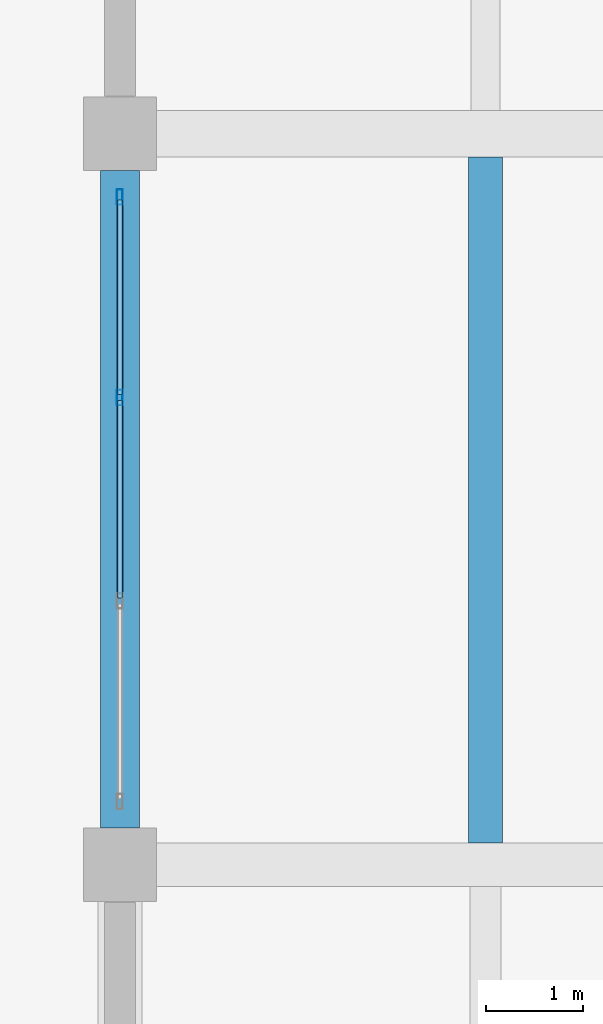
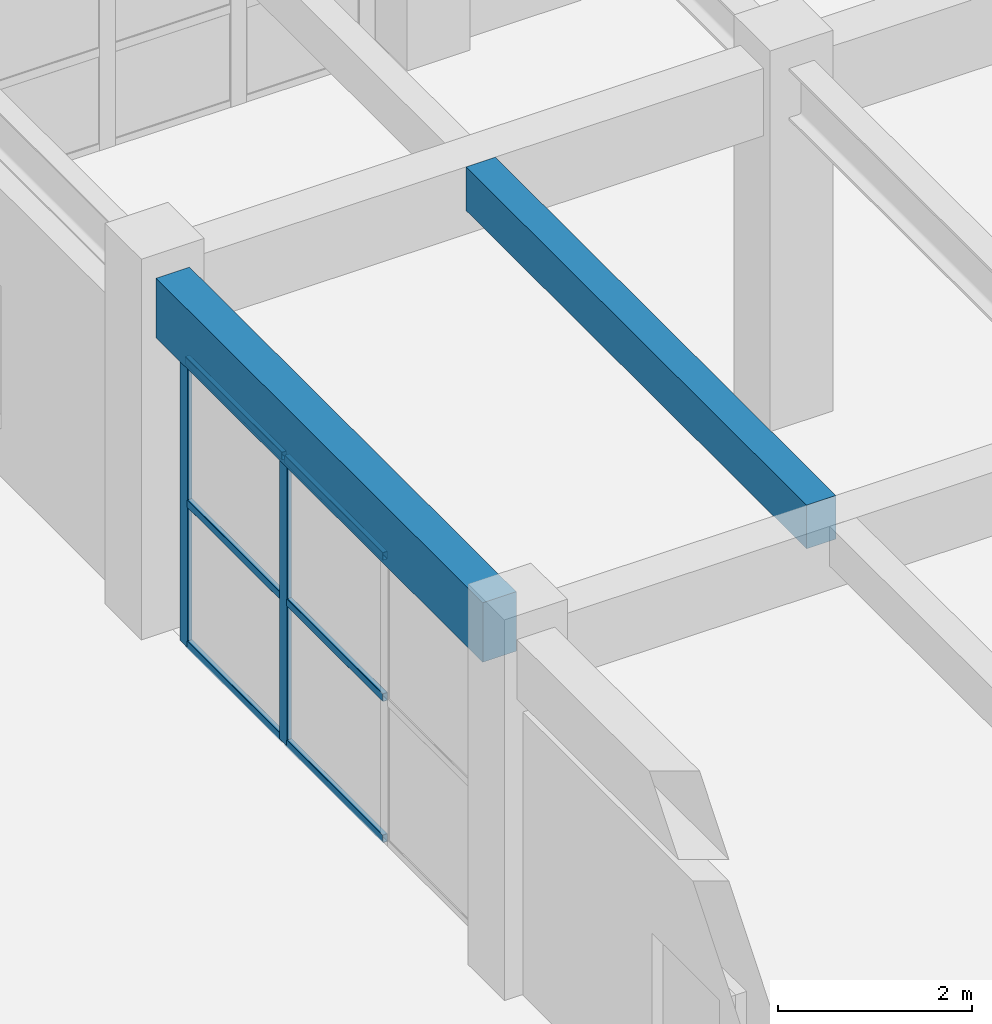
# One storey, part 50 of 122: 8 members, 2 beams, 1 element without a shape of its own.
"""IFC4 building model written with IfcOpenShell, lengths in metres."""

from ifc_helpers import new_model, si_unit, direction, frame, origin, origin_2d, place, context, subcontext, project, spatial, rectangle, hollow_rectangle, extrude, material, material_profile, profile_set, type_object, element, aggregate, save


model = new_model("IFC4")

# Units and contexts
model_context = context("Model", 3, precision=1e-05, world=origin(), true_north=direction((0.0, 1.0)))
body_context = subcontext(model_context, "Body", "Model", "MODEL_VIEW")
ifc_project = project(units=[si_unit("LENGTHUNIT", "METRE"), si_unit("AREAUNIT", "SQUARE_METRE"), si_unit("VOLUMEUNIT", "CUBIC_METRE"), si_unit("PLANEANGLEUNIT", "RADIAN"), si_unit("MASSUNIT", "GRAM", prefix="KILO")], contexts=[model_context])

# Site, building, storey
site_placement = place(None, origin())
site = spatial("IfcSite", under=ifc_project, at=site_placement, CompositionType="ELEMENT")
building_placement = place(site_placement, origin())
building = spatial("IfcBuilding", under=site, at=building_placement, Name="Qasida Concert Hall", CompositionType="ELEMENT")
storey_placement = place(building_placement, origin())
storey = spatial("IfcBuildingStorey", under=building, at=storey_placement, Name="L00", CompositionType="ELEMENT", Elevation=0.0)

# Beams
ifc_material_1 = material(Name="Concrete C40/50", Category="concrete")
ifc_material_profile_1 = material_profile(ifc_material_1, rectangle(XDim=0.35009765625, YDim=0.550048828125, at=origin_2d()), Name="RC 350x550")
ifc_profile_set_1 = profile_set([ifc_material_profile_1], Name="Concrete C40/50")
beam_type_1 = type_object("IfcBeamType", Name="BM-J8", PredefinedType="JOIST", material=ifc_profile_set_1)
beam_1_placement = place(storey_placement, frame((123.75, 97.72509765625, 4.22509765625), z_axis=(0.0, 1.0, 0.0), x_axis=(-1.0, 0.0, 0.0)))
element("IfcBeam", 1, at=beam_1_placement, inside=storey, type_object=beam_type_1, Name="L00 secondary joist 0663", PredefinedType="JOIST", context=body_context, shape_type="SweptSolid", body=[
    extrude(rectangle(XDim=0.35009765625, YDim=0.550048828125, at=origin_2d()), origin(), (0.0, 0.0, 1.0), 7.034912109375),
])
ifc_material_profile_2 = material_profile(ifc_material_1, rectangle(XDim=0.39990234375, YDim=0.75, at=origin_2d()), Name="RC 400x750")
ifc_profile_set_2 = profile_set([ifc_material_profile_2], Name="Concrete C40/50")
beam_type_2 = type_object("IfcBeamType", Name="BM-SP1", PredefinedType="SPANDREL", material=ifc_profile_set_2)
beam_2_placement = place(storey_placement, frame((120.0, 97.875, 4.125), z_axis=(0.0, 1.0, 0.0), x_axis=(-1.0, 0.0, 0.0)))
element("IfcBeam", 2, at=beam_2_placement, inside=storey, type_object=beam_type_2, Name="L00 girder 0628", PredefinedType="SPANDREL", context=body_context, shape_type="SweptSolid", body=[
    extrude(rectangle(XDim=0.39990234375, YDim=0.75, at=origin_2d()), origin(), (0.0, 0.0, 1.0), 6.75),
])

# Curtain wall, members
ifc_material_2 = material(Name="Architectural bronze-anodized aluminium and low-E glass", Category="aluminium")
curtain_wall_type = type_object("IfcCurtainWallType", Name="CW-09", PredefinedType="NOTDEFINED", material=ifc_material_2)
curtain_wall_placement = place(storey_placement, origin())
curtain_wall = element("IfcCurtainWall", 3, at=curtain_wall_placement, inside=storey, type_object=curtain_wall_type, Name="L00 curtain wall CW-09 0158", PredefinedType="NOTDEFINED")
ifc_material_3 = material(Name="Architectural bronze-anodized aluminium EN AW-6063", Category="aluminium")
ifc_material_profile_3 = material_profile(ifc_material_3, hollow_rectangle(XDim=0.06005859375, YDim=0.159912109375, WallThickness=0.00390625, InnerFilletRadius=0.00390625, OuterFilletRadius=0.008056640625, at=origin_2d()), Name="CWM 160x60x4")
ifc_profile_set_3 = profile_set([ifc_material_profile_3], Name="Architectural bronze-anodized aluminium EN AW-6063")
member_type_1 = type_object("IfcMemberType", Name="MB-CWM-3", PredefinedType="MULLION", material=ifc_profile_set_3)
member_1_placement = place(storey_placement, frame((120.0, 102.293212890625, 0.0), z_axis=(0.0, 0.0, 1.0), x_axis=(-1.0, 0.0, 0.0)))
member_1 = element("IfcMember", 4, at=member_1_placement, type_object=member_type_1, Name="CW-09 mullion 3", PredefinedType="MULLION", context=body_context, shape_type="SweptSolid", body=[
    extrude(hollow_rectangle(XDim=0.06005859375, YDim=0.159912109375, WallThickness=0.00390625, InnerFilletRadius=0.00390625, OuterFilletRadius=0.008056640625, at=origin_2d()), origin(), (0.0, 0.0, 1.0), 3.6201171875),
])
member_2_placement = place(storey_placement, frame((120.0, 104.35009765625, 0.0), z_axis=(0.0, 0.0, 1.0), x_axis=(-1.0, 0.0, 0.0)))
member_2 = element("IfcMember", 5, at=member_2_placement, type_object=member_type_1, Name="CW-09 mullion 4", PredefinedType="MULLION", context=body_context, shape_type="SweptSolid", body=[
    extrude(hollow_rectangle(XDim=0.06005859375, YDim=0.159912109375, WallThickness=0.00390625, InnerFilletRadius=0.00390625, OuterFilletRadius=0.008056640625, at=origin_2d()), origin(), (0.0, 0.0, 1.0), 3.6201171875),
])
ifc_material_profile_4 = material_profile(ifc_material_3, hollow_rectangle(XDim=0.06005859375, YDim=0.10009765625, WallThickness=0.00341796875, InnerFilletRadius=0.00341796875, OuterFilletRadius=0.007080078125, at=origin_2d()), Name="CWT 100x60x3.5")
ifc_profile_set_4 = profile_set([ifc_material_profile_4], Name="Architectural bronze-anodized aluminium EN AW-6063")
member_type_2 = type_object("IfcMemberType", Name="MB-CWT-3", PredefinedType="USERDEFINED", material=ifc_profile_set_4)
member_3_placement = place(storey_placement, frame((120.0, 100.236572265625, 0.030029296875), z_axis=(0.0, 1.0, 0.0), x_axis=(-1.0, 0.0, 0.0)))
member_3 = element("IfcMember", 6, at=member_3_placement, type_object=member_type_2, Name="CW-09 transom 2.1", ObjectType="TRANSOM", PredefinedType="USERDEFINED", context=body_context, shape_type="SweptSolid", body=[
    extrude(hollow_rectangle(XDim=0.06005859375, YDim=0.10009765625, WallThickness=0.00341796875, InnerFilletRadius=0.00341796875, OuterFilletRadius=0.007080078125, at=origin_2d()), origin(), (0.0, 0.0, 1.0), 2.02685546875),
])
member_4_placement = place(storey_placement, frame((120.0, 100.236572265625, 1.81005859375), z_axis=(0.0, 1.0, 0.0), x_axis=(-1.0, 0.0, 0.0)))
member_4 = element("IfcMember", 7, at=member_4_placement, type_object=member_type_2, Name="CW-09 transom 2.2", ObjectType="TRANSOM", PredefinedType="USERDEFINED", context=body_context, shape_type="SweptSolid", body=[
    extrude(hollow_rectangle(XDim=0.06005859375, YDim=0.10009765625, WallThickness=0.00341796875, InnerFilletRadius=0.00341796875, OuterFilletRadius=0.007080078125, at=origin_2d()), origin(), (0.0, 0.0, 1.0), 2.02685546875),
])
member_5_placement = place(storey_placement, frame((120.0, 100.236572265625, 3.590087890625), z_axis=(0.0, 1.0, 0.0), x_axis=(-1.0, 0.0, 0.0)))
member_5 = element("IfcMember", 8, at=member_5_placement, type_object=member_type_2, Name="CW-09 transom 2.3", ObjectType="TRANSOM", PredefinedType="USERDEFINED", context=body_context, shape_type="SweptSolid", body=[
    extrude(hollow_rectangle(XDim=0.06005859375, YDim=0.10009765625, WallThickness=0.00341796875, InnerFilletRadius=0.00341796875, OuterFilletRadius=0.007080078125, at=origin_2d()), origin(), (0.0, 0.0, 1.0), 2.02685546875),
])
member_6_placement = place(storey_placement, frame((120.0, 102.3232421875, 0.030029296875), z_axis=(0.0, 1.0, 0.0), x_axis=(-1.0, 0.0, 0.0)))
member_6 = element("IfcMember", 9, at=member_6_placement, type_object=member_type_2, Name="CW-09 transom 3.1", ObjectType="TRANSOM", PredefinedType="USERDEFINED", context=body_context, shape_type="SweptSolid", body=[
    extrude(hollow_rectangle(XDim=0.06005859375, YDim=0.10009765625, WallThickness=0.00341796875, InnerFilletRadius=0.00341796875, OuterFilletRadius=0.007080078125, at=origin_2d()), origin(), (0.0, 0.0, 1.0), 1.996826171875),
])
member_7_placement = place(storey_placement, frame((120.0, 102.3232421875, 1.81005859375), z_axis=(0.0, 1.0, 0.0), x_axis=(-1.0, 0.0, 0.0)))
member_7 = element("IfcMember", 10, at=member_7_placement, type_object=member_type_2, Name="CW-09 transom 3.2", ObjectType="TRANSOM", PredefinedType="USERDEFINED", context=body_context, shape_type="SweptSolid", body=[
    extrude(hollow_rectangle(XDim=0.06005859375, YDim=0.10009765625, WallThickness=0.00341796875, InnerFilletRadius=0.00341796875, OuterFilletRadius=0.007080078125, at=origin_2d()), origin(), (0.0, 0.0, 1.0), 1.996826171875),
])
member_8_placement = place(storey_placement, frame((120.0, 102.3232421875, 3.590087890625), z_axis=(0.0, 1.0, 0.0), x_axis=(-1.0, 0.0, 0.0)))
member_8 = element("IfcMember", 11, at=member_8_placement, type_object=member_type_2, Name="CW-09 transom 3.3", ObjectType="TRANSOM", PredefinedType="USERDEFINED", context=body_context, shape_type="SweptSolid", body=[
    extrude(hollow_rectangle(XDim=0.06005859375, YDim=0.10009765625, WallThickness=0.00341796875, InnerFilletRadius=0.00341796875, OuterFilletRadius=0.007080078125, at=origin_2d()), origin(), (0.0, 0.0, 1.0), 1.996826171875),
])
aggregate(curtain_wall, [member_1, member_2, member_3, member_4, member_5, member_6, member_7, member_8])

save(model, "model.ifc")
